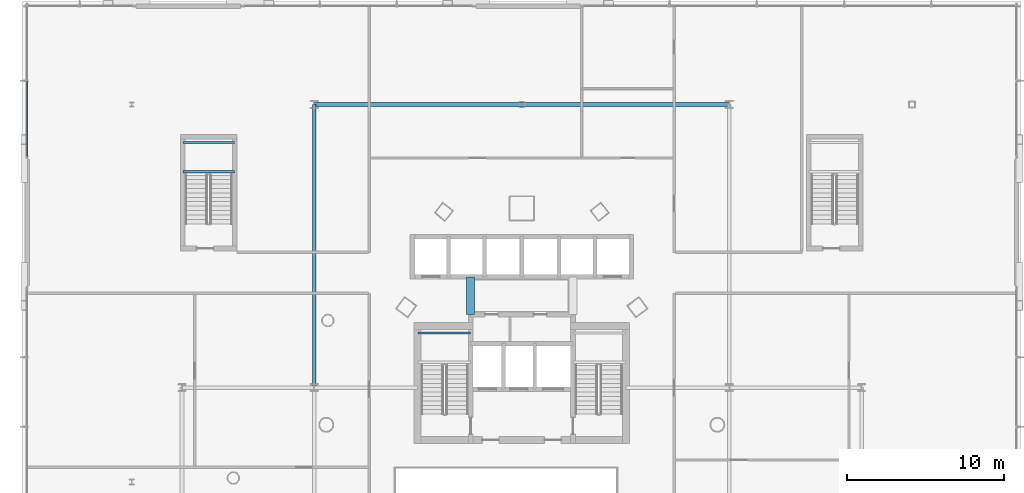
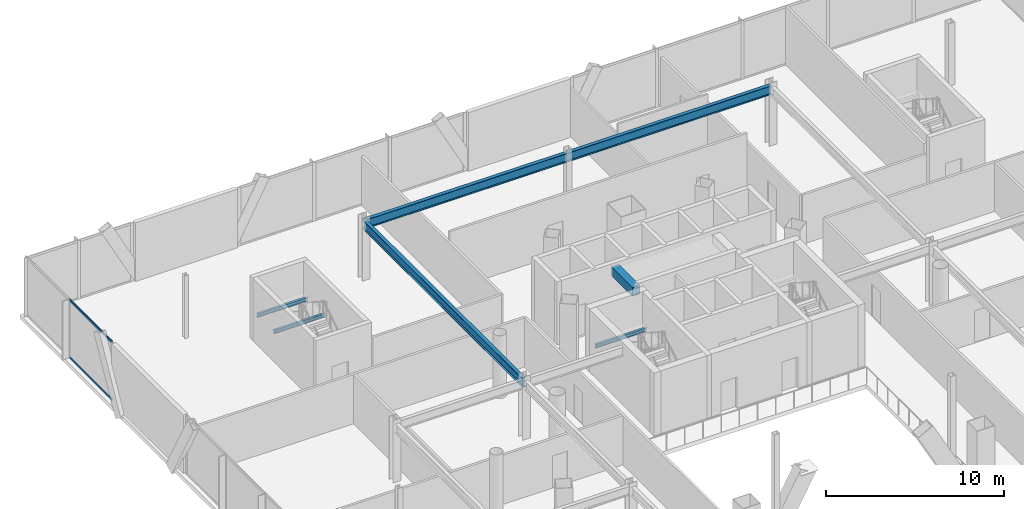
# One storey, part 24 of 42: 6 beams, 2 members, 1 element without a shape of its own.
"""IFC4 building model written with IfcOpenShell, lengths in metres."""

from ifc_helpers import new_model, si_unit, direction, frame, origin, origin_2d, place, context, subcontext, project, spatial, rectangle, hollow_rectangle, i_section, extrude, material, layer, layer_set, material_profile, profile_set, type_object, element, aggregate, save


model = new_model("IFC4")

# Units and contexts
model_context = context("Model", 3, precision=1e-05, world=origin(), true_north=direction((0.0, 1.0)))
body_context = subcontext(model_context, "Body", "Model", "MODEL_VIEW")
ifc_project = project(units=[si_unit("LENGTHUNIT", "METRE"), si_unit("AREAUNIT", "SQUARE_METRE"), si_unit("VOLUMEUNIT", "CUBIC_METRE"), si_unit("PLANEANGLEUNIT", "RADIAN"), si_unit("MASSUNIT", "GRAM", prefix="KILO")], contexts=[model_context])

# Site, building, storey
site_placement = place(None, origin())
site = spatial("IfcSite", under=ifc_project, at=site_placement, CompositionType="ELEMENT")
building_placement = place(site_placement, origin())
building = spatial("IfcBuilding", under=site, at=building_placement, Name="Orvanel Arch Residences", CompositionType="ELEMENT")
storey_placement = place(building_placement, frame((0.0, 0.0, 5.5)))
storey = spatial("IfcBuildingStorey", under=building, at=storey_placement, Name="L01", CompositionType="ELEMENT", Elevation=5.5)

# Beams
ifc_material_1 = material(Name="Structural steel AS/NZS 3679.1 Grade 300 (300 MPa)", Category="steel")
ifc_material_profile_1 = material_profile(ifc_material_1, i_section(OverallWidth=0.22900390625, OverallDepth=0.612060546875, WebThickness=0.011962890625, FlangeThickness=0.01953125, at=origin_2d()), Name="610UB125")
ifc_profile_set_1 = profile_set([ifc_material_profile_1], Name="Structural steel AS/NZS 3679.1 Grade 300 (300 MPa)")
beam_type_1 = type_object("IfcBeamType", Name="BG-610UB", PredefinedType="BEAM", material=ifc_profile_set_1)
beam_1_placement = place(storey_placement, frame((19.800048828125, 48.0, 3.714111328125), z_axis=(1.0, 0.0, 0.0), x_axis=(0.0, 1.0, 0.0)))
element("IfcBeam", 1, at=beam_1_placement, inside=storey, type_object=beam_type_1, Name="L01 BG-610UB beam", PredefinedType="BEAM", context=body_context, shape_type="SweptSolid", body=[
    extrude(i_section(OverallWidth=0.22900390625, OverallDepth=0.612060546875, WebThickness=0.011962890625, FlangeThickness=0.01953125, at=origin_2d()), origin(), (0.0, 0.0, 1.0), 26.39990234375),
])
beam_2_placement = place(storey_placement, frame((19.800048828125, 30.0, 3.714111328125), z_axis=(0.0, 1.0, 0.0), x_axis=(-1.0, 0.0, 0.0)))
element("IfcBeam", 2, at=beam_2_placement, inside=storey, type_object=beam_type_1, Name="L01 North-South Podium Girder XW20-N", PredefinedType="BEAM", context=body_context, shape_type="SweptSolid", body=[
    extrude(i_section(OverallWidth=0.22900390625, OverallDepth=0.612060546875, WebThickness=0.011962890625, FlangeThickness=0.01953125, at=origin_2d()), origin(), (0.0, 0.0, 1.0), 18.0),
])
ifc_material_profile_2 = material_profile(ifc_material_1, i_section(OverallWidth=0.14599609375, OverallDepth=0.251953125, WebThickness=0.006103515625, FlangeThickness=0.008544921875, at=origin_2d()), Name="250UB31.4")
ifc_profile_set_2 = profile_set([ifc_material_profile_2], Name="Structural steel AS/NZS 3679.1 Grade 300 (300 MPa)")
beam_type_2 = type_object("IfcBeamType", Name="BJ-250UB", PredefinedType="JOIST", material=ifc_profile_set_2)
beam_3_placement = place(storey_placement, frame((26.39990234375, 33.47998046875, 1.823974609375), z_axis=(1.0, 0.0, 0.0), x_axis=(0.0, 1.0, 0.0)))
element("IfcBeam", 3, at=beam_3_placement, inside=storey, type_object=beam_type_2, Name="L01 ST-1 Half-Landing Support Beam 1.2", PredefinedType="JOIST", context=body_context, shape_type="SweptSolid", body=[
    extrude(i_section(OverallWidth=0.14599609375, OverallDepth=0.251953125, WebThickness=0.006103515625, FlangeThickness=0.008544921875, at=origin_2d()), origin(), (0.0, 0.0, 1.0), 3.35009765625),
])
for number, where, z_axis, x_axis, name in (
    (4, (11.449951171875, 43.719970703125, 1.823974609375), (1.0, 0.0, 0.0), (0.0, 1.0, 0.0), "L01 ST-3 Half-Landing Support Beam 1.1"),
    (5, (11.449951171875, 45.580078125, 1.823974609375), (1.0, 0.0, 0.0), (0.0, 1.0, 0.0), "L01 ST-3 Half-Landing Support Beam 1.2"),
):
    element("IfcBeam", number, at=place(storey_placement, frame(where, z_axis=z_axis, x_axis=x_axis)), inside=storey, type_object=beam_type_2, Name=name, PredefinedType="JOIST", context=body_context, shape_type="SweptSolid", body=[
        extrude(i_section(OverallWidth=0.14599609375, OverallDepth=0.251953125, WebThickness=0.006103515625, FlangeThickness=0.008544921875, at=origin_2d()), origin(), (0.0, 0.0, 1.0), 3.300048828125),
    ])
ifc_material_2 = material(Name="Concrete S65 (65 MPa)", Category="concrete")
ifc_material_profile_3 = material_profile(ifc_material_2, rectangle(XDim=0.5, YDim=0.60009765625, at=origin_2d()), Name="RC500x600")
ifc_profile_set_3 = profile_set([ifc_material_profile_3], Name="Concrete S65 (65 MPa)")
beam_type_3 = type_object("IfcBeamType", Name="CB-500x600", PredefinedType="LINTEL", material=ifc_profile_set_3)
beam_4_placement = place(storey_placement, frame((29.75, 34.64990234375, 3.719970703125), z_axis=(0.0, 1.0, 0.0), x_axis=(-1.0, 0.0, 0.0)))
element("IfcBeam", 6, at=beam_4_placement, inside=storey, type_object=beam_type_3, Name="L01 West Core Lobby Coupling Lintel Beam", PredefinedType="LINTEL", context=body_context, shape_type="SweptSolid", body=[
    extrude(rectangle(XDim=0.5, YDim=0.60009765625, at=origin_2d()), origin(), (0.0, 0.0, 1.0), 2.400146484375),
])

# Curtain wall, members
ifc_material_3 = material(Name="Bronze-anodised aluminium AA6063-T6", Category="aluminium")
ifc_layer = layer(ifc_material_3, 0.199951171875)
ifc_layer_set = layer_set([ifc_layer], Name="Bronze-anodised aluminium AA6063-T6")
curtain_wall_type = type_object("IfcCurtainWallType", Name="CW1-POD-SYS", PredefinedType="NOTDEFINED", material=ifc_layer_set)
curtain_wall_placement = place(storey_placement, origin())
curtain_wall = element("IfcCurtainWall", 7, at=curtain_wall_placement, inside=storey, type_object=curtain_wall_type, Name="L01 CW1-POD-SYS Unitised Curtain Wall", PredefinedType="NOTDEFINED")
ifc_material_profile_4 = material_profile(ifc_material_3, hollow_rectangle(XDim=0.06494140625, YDim=0.14990234375, WallThickness=0.00390625, at=origin_2d()), Name="ALU150x65x4")
ifc_profile_set_4 = profile_set([ifc_material_profile_4], Name="Bronze-anodised aluminium AA6063-T6")
member_type = type_object("IfcMemberType", Name="TRN-150x65", PredefinedType="USERDEFINED", material=ifc_profile_set_4)
member_1_placement = place(storey_placement, frame((1.550048828125, 49.4775390625, 0.032470703125), z_axis=(0.0, -1.0, 0.0), x_axis=(1.0, 0.0, 0.0)))
member_1 = element("IfcMember", 8, at=member_1_placement, type_object=member_type, Name="CW-S1 transom 2.1", ObjectType="TRANSOM", PredefinedType="USERDEFINED", context=body_context, shape_type="SweptSolid", body=[
    extrude(hollow_rectangle(XDim=0.06494140625, YDim=0.14990234375, WallThickness=0.00390625, at=origin_2d()), origin(), (0.0, 0.0, 1.0), 4.762451171875),
])
member_2_placement = place(storey_placement, frame((1.550048828125, 49.4775390625, 3.987548828125), z_axis=(0.0, -1.0, 0.0), x_axis=(1.0, 0.0, 0.0)))
member_2 = element("IfcMember", 9, at=member_2_placement, type_object=member_type, Name="CW-S1 transom 2.2", ObjectType="TRANSOM", PredefinedType="USERDEFINED", context=body_context, shape_type="SweptSolid", body=[
    extrude(hollow_rectangle(XDim=0.06494140625, YDim=0.14990234375, WallThickness=0.00390625, at=origin_2d()), origin(), (0.0, 0.0, 1.0), 4.762451171875),
])
aggregate(curtain_wall, [member_1, member_2])

save(model, "model.ifc")
